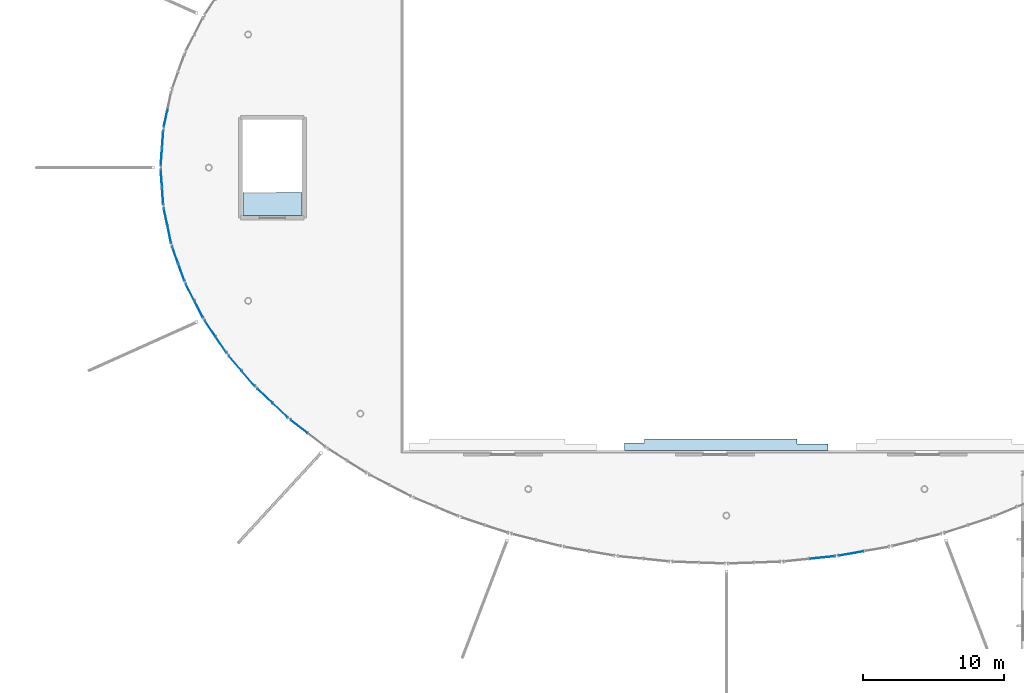
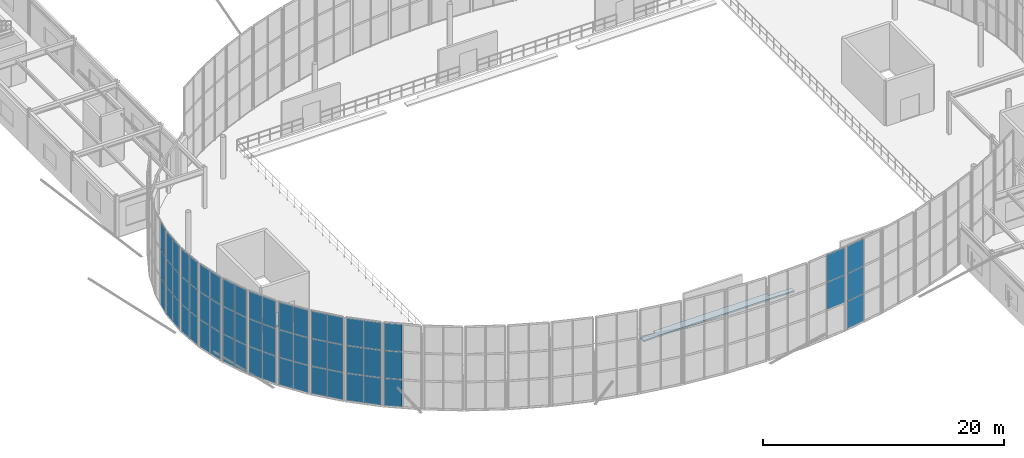
# One storey, part 46 of 109: 59 plates, 2 slabs, 12 elements without a shape of their own.
"""IFC4 building model written with IfcOpenShell, lengths in metres."""

from ifc_helpers import new_model, si_unit, derived_unit, direction, frame, origin, origin_2d, place, context, subcontext, project, spatial, polyline, rectangle, outline, extrude, material, layer, layer_set, type_object, element, aggregate, save


model = new_model("IFC4")

# Units and contexts
model_context = context("Model", 3, precision=1e-05, world=origin(), true_north=direction((0.0, 1.0)))
body_context = subcontext(model_context, "Body", "Model", "MODEL_VIEW")
ifc_project = project(units=[si_unit("LENGTHUNIT", "METRE"), si_unit("AREAUNIT", "SQUARE_METRE"), si_unit("VOLUMEUNIT", "CUBIC_METRE"), si_unit("PLANEANGLEUNIT", "RADIAN"), si_unit("MASSUNIT", "GRAM", prefix="KILO"), derived_unit("THERMALTRANSMITTANCEUNIT", [(si_unit("MASSUNIT", "GRAM", prefix="KILO"), 1), (si_unit("TIMEUNIT", "SECOND"), -3), (si_unit("THERMODYNAMICTEMPERATUREUNIT", "KELVIN"), -1)])], contexts=[model_context])

# Site, building, storey
site_placement = place(None, origin())
site = spatial("IfcSite", under=ifc_project, at=site_placement, CompositionType="ELEMENT")
building_placement = place(site_placement, origin())
building = spatial("IfcBuilding", under=site, at=building_placement, Name="Kharveza Railside Sports Centre", CompositionType="ELEMENT")
storey_placement = place(building_placement, frame((0.0, 0.0, 4.5)))
storey = spatial("IfcBuildingStorey", under=building, at=storey_placement, Name="L01", CompositionType="ELEMENT", Elevation=4.5)

# Curtain wall, plates
ifc_material_1 = material(Name="Low-E solar-control laminated glass", Category="glass")
curtain_wall_type = type_object("IfcCurtainWallType", Name="CW-DR01", PredefinedType="NOTDEFINED", material=ifc_material_1)
curtain_wall_1_placement = place(storey_placement, origin())
curtain_wall_1 = element("IfcCurtainWall", 1, at=curtain_wall_1_placement, inside=storey, type_object=curtain_wall_type, Name="CW-DRUM-31", PredefinedType="NOTDEFINED")
ifc_layer_1 = layer(ifc_material_1, 0.035888671875, Name="Low-E solar-control laminated glass")
ifc_layer_set_1 = layer_set([ifc_layer_1], Name="Low-E solar-control laminated glass")
plate_type = type_object("IfcPlateType", Name="PL-CP01", PredefinedType="CURTAIN_PANEL", material=ifc_layer_set_1)
plate_1_placement = place(storey_placement, frame((14.948974609375, 53.8828125, 0.02001953125), z_axis=(0.0, 0.0, 1.0), x_axis=(-0.207297061555, -0.978278042415, 0.0)))
plate_1 = element("IfcPlate", 2, at=plate_1_placement, type_object=plate_type, Name="CW-DRUM-31-PN21", PredefinedType="CURTAIN_PANEL", context=body_context, shape_type="SweptSolid", body=[
    extrude(rectangle(XDim=1.229248046875, YDim=0.035888671875, at=origin_2d()), origin(), (0.0, 0.0, 1.0), 2.760009765625),
])
plate_2_placement = place(storey_placement, frame((14.948974609375, 53.8828125, 2.81982421875), z_axis=(0.0, 0.0, 1.0), x_axis=(-0.207297061555, -0.978278042415, 0.0)))
plate_2 = element("IfcPlate", 3, at=plate_2_placement, type_object=plate_type, Name="CW-DRUM-31-PN22", PredefinedType="CURTAIN_PANEL", context=body_context, shape_type="SweptSolid", body=[
    extrude(rectangle(XDim=1.229248046875, YDim=0.035888671875, at=origin_2d()), origin(), (0.0, 0.0, 1.0), 2.760009765625),
])
plate_3_placement = place(storey_placement, frame((14.948974609375, 53.8828125, 5.6201171875), z_axis=(0.0, 0.0, 1.0), x_axis=(-0.207297061555, -0.978278042415, 0.0)))
plate_3 = element("IfcPlate", 4, at=plate_3_placement, type_object=plate_type, Name="CW-DRUM-31-PN23", PredefinedType="CURTAIN_PANEL", context=body_context, shape_type="SweptSolid", body=[
    extrude(rectangle(XDim=1.229248046875, YDim=0.035888671875, at=origin_2d()), origin(), (0.0, 0.0, 1.0), 2.760009765625),
])
aggregate(curtain_wall_1, [plate_1, plate_2, plate_3])

curtain_wall_2_placement = place(storey_placement, origin())
curtain_wall_2 = element("IfcCurtainWall", 5, at=curtain_wall_2_placement, inside=storey, type_object=curtain_wall_type, Name="CW-DRUM-32", PredefinedType="NOTDEFINED")
plate_4_placement = place(storey_placement, frame((14.740234375, 52.3984375, 0.02001953125), z_axis=(0.0, 0.0, 1.0), x_axis=(-0.070017633008, -0.997545753872, 0.0)))
plate_4 = element("IfcPlate", 6, at=plate_4_placement, type_object=plate_type, Name="CW-DRUM-32-PN11", PredefinedType="CURTAIN_PANEL", context=body_context, shape_type="SweptSolid", body=[
    extrude(rectangle(XDim=1.215576171875, YDim=0.035888671875, at=origin_2d()), origin(), (0.0, 0.0, 1.0), 2.760009765625),
])
plate_5_placement = place(storey_placement, frame((14.740234375, 52.3984375, 2.81982421875), z_axis=(0.0, 0.0, 1.0), x_axis=(-0.070017633008, -0.997545753872, 0.0)))
plate_5 = element("IfcPlate", 7, at=plate_5_placement, type_object=plate_type, Name="CW-DRUM-32-PN12", PredefinedType="CURTAIN_PANEL", context=body_context, shape_type="SweptSolid", body=[
    extrude(rectangle(XDim=1.215576171875, YDim=0.035888671875, at=origin_2d()), origin(), (0.0, 0.0, 1.0), 2.760009765625),
])
plate_6_placement = place(storey_placement, frame((14.740234375, 52.3984375, 5.6201171875), z_axis=(0.0, 0.0, 1.0), x_axis=(-0.070017633008, -0.997545753872, 0.0)))
plate_6 = element("IfcPlate", 8, at=plate_6_placement, type_object=plate_type, Name="CW-DRUM-32-PN13", PredefinedType="CURTAIN_PANEL", context=body_context, shape_type="SweptSolid", body=[
    extrude(rectangle(XDim=1.215576171875, YDim=0.035888671875, at=origin_2d()), origin(), (0.0, 0.0, 1.0), 2.760009765625),
])
plate_7_placement = place(storey_placement, frame((14.65234375, 51.14599609375, 0.02001953125), z_axis=(0.0, 0.0, 1.0), x_axis=(-0.070017633008, -0.997545753872, 0.0)))
plate_7 = element("IfcPlate", 9, at=plate_7_placement, type_object=plate_type, Name="CW-DRUM-32-PN21", PredefinedType="CURTAIN_PANEL", context=body_context, shape_type="SweptSolid", body=[
    extrude(rectangle(XDim=1.215576171875, YDim=0.035888671875, at=origin_2d()), origin(), (0.0, 0.0, 1.0), 2.760009765625),
])
plate_8_placement = place(storey_placement, frame((14.65234375, 51.14599609375, 2.81982421875), z_axis=(0.0, 0.0, 1.0), x_axis=(-0.070017633008, -0.997545753872, 0.0)))
plate_8 = element("IfcPlate", 10, at=plate_8_placement, type_object=plate_type, Name="CW-DRUM-32-PN22", PredefinedType="CURTAIN_PANEL", context=body_context, shape_type="SweptSolid", body=[
    extrude(rectangle(XDim=1.215576171875, YDim=0.035888671875, at=origin_2d()), origin(), (0.0, 0.0, 1.0), 2.760009765625),
])
plate_9_placement = place(storey_placement, frame((14.65234375, 51.14599609375, 5.6201171875), z_axis=(0.0, 0.0, 1.0), x_axis=(-0.070017633008, -0.997545753872, 0.0)))
plate_9 = element("IfcPlate", 11, at=plate_9_placement, type_object=plate_type, Name="CW-DRUM-32-PN23", PredefinedType="CURTAIN_PANEL", context=body_context, shape_type="SweptSolid", body=[
    extrude(rectangle(XDim=1.215576171875, YDim=0.035888671875, at=origin_2d()), origin(), (0.0, 0.0, 1.0), 2.760009765625),
])
aggregate(curtain_wall_2, [plate_4, plate_5, plate_6, plate_7, plate_8, plate_9])

curtain_wall_3_placement = place(storey_placement, origin())
curtain_wall_3 = element("IfcCurtainWall", 12, at=curtain_wall_3_placement, inside=storey, type_object=curtain_wall_type, Name="CW-DRUM-33", PredefinedType="NOTDEFINED")
plate_10_placement = place(storey_placement, frame((14.65234375, 49.654052734375, 0.02001953125), z_axis=(0.0, 0.0, 1.0), x_axis=(0.070017633008, -0.997545753872, 0.0)))
plate_10 = element("IfcPlate", 13, at=plate_10_placement, type_object=plate_type, Name="CW-DRUM-33-PN11", PredefinedType="CURTAIN_PANEL", context=body_context, shape_type="SweptSolid", body=[
    extrude(rectangle(XDim=1.215576171875, YDim=0.035888671875, at=origin_2d()), origin(), (0.0, 0.0, 1.0), 2.760009765625),
])
plate_11_placement = place(storey_placement, frame((14.65234375, 49.654052734375, 2.81982421875), z_axis=(0.0, 0.0, 1.0), x_axis=(0.070017633008, -0.997545753872, 0.0)))
plate_11 = element("IfcPlate", 14, at=plate_11_placement, type_object=plate_type, Name="CW-DRUM-33-PN12", PredefinedType="CURTAIN_PANEL", context=body_context, shape_type="SweptSolid", body=[
    extrude(rectangle(XDim=1.215576171875, YDim=0.035888671875, at=origin_2d()), origin(), (0.0, 0.0, 1.0), 2.760009765625),
])
plate_12_placement = place(storey_placement, frame((14.65234375, 49.654052734375, 5.6201171875), z_axis=(0.0, 0.0, 1.0), x_axis=(0.070017633008, -0.997545753872, 0.0)))
plate_12 = element("IfcPlate", 15, at=plate_12_placement, type_object=plate_type, Name="CW-DRUM-33-PN13", PredefinedType="CURTAIN_PANEL", context=body_context, shape_type="SweptSolid", body=[
    extrude(rectangle(XDim=1.215576171875, YDim=0.035888671875, at=origin_2d()), origin(), (0.0, 0.0, 1.0), 2.760009765625),
])
plate_13_placement = place(storey_placement, frame((14.740234375, 48.401611328125, 0.02001953125), z_axis=(0.0, 0.0, 1.0), x_axis=(0.070017633008, -0.997545753872, 0.0)))
plate_13 = element("IfcPlate", 16, at=plate_13_placement, type_object=plate_type, Name="CW-DRUM-33-PN21", PredefinedType="CURTAIN_PANEL", context=body_context, shape_type="SweptSolid", body=[
    extrude(rectangle(XDim=1.215576171875, YDim=0.035888671875, at=origin_2d()), origin(), (0.0, 0.0, 1.0), 2.760009765625),
])
plate_14_placement = place(storey_placement, frame((14.740234375, 48.401611328125, 2.81982421875), z_axis=(0.0, 0.0, 1.0), x_axis=(0.070017633008, -0.997545753872, 0.0)))
plate_14 = element("IfcPlate", 17, at=plate_14_placement, type_object=plate_type, Name="CW-DRUM-33-PN22", PredefinedType="CURTAIN_PANEL", context=body_context, shape_type="SweptSolid", body=[
    extrude(rectangle(XDim=1.215576171875, YDim=0.035888671875, at=origin_2d()), origin(), (0.0, 0.0, 1.0), 2.760009765625),
])
plate_15_placement = place(storey_placement, frame((14.740234375, 48.401611328125, 5.6201171875), z_axis=(0.0, 0.0, 1.0), x_axis=(0.070017633008, -0.997545753872, 0.0)))
plate_15 = element("IfcPlate", 18, at=plate_15_placement, type_object=plate_type, Name="CW-DRUM-33-PN23", PredefinedType="CURTAIN_PANEL", context=body_context, shape_type="SweptSolid", body=[
    extrude(rectangle(XDim=1.215576171875, YDim=0.035888671875, at=origin_2d()), origin(), (0.0, 0.0, 1.0), 2.760009765625),
])
aggregate(curtain_wall_3, [plate_10, plate_11, plate_12, plate_13, plate_14, plate_15])

curtain_wall_4_placement = place(storey_placement, origin())
curtain_wall_4 = element("IfcCurtainWall", 19, at=curtain_wall_4_placement, inside=storey, type_object=curtain_wall_type, Name="CW-DRUM-34", PredefinedType="NOTDEFINED")
plate_16_placement = place(storey_placement, frame((14.948974609375, 46.917236328125, 0.02001953125), z_axis=(0.0, 0.0, 1.0), x_axis=(0.207297061555, -0.978278042415, 0.0)))
plate_16 = element("IfcPlate", 20, at=plate_16_placement, type_object=plate_type, Name="CW-DRUM-34-PN11", PredefinedType="CURTAIN_PANEL", context=body_context, shape_type="SweptSolid", body=[
    extrude(rectangle(XDim=1.229248046875, YDim=0.035888671875, at=origin_2d()), origin(), (0.0, 0.0, 1.0), 2.760009765625),
])
plate_17_placement = place(storey_placement, frame((14.948974609375, 46.917236328125, 2.81982421875), z_axis=(0.0, 0.0, 1.0), x_axis=(0.207297061555, -0.978278042415, 0.0)))
plate_17 = element("IfcPlate", 21, at=plate_17_placement, type_object=plate_type, Name="CW-DRUM-34-PN12", PredefinedType="CURTAIN_PANEL", context=body_context, shape_type="SweptSolid", body=[
    extrude(rectangle(XDim=1.229248046875, YDim=0.035888671875, at=origin_2d()), origin(), (0.0, 0.0, 1.0), 2.760009765625),
])
plate_18_placement = place(storey_placement, frame((14.948974609375, 46.917236328125, 5.6201171875), z_axis=(0.0, 0.0, 1.0), x_axis=(0.207297061555, -0.978278042415, 0.0)))
plate_18 = element("IfcPlate", 22, at=plate_18_placement, type_object=plate_type, Name="CW-DRUM-34-PN13", PredefinedType="CURTAIN_PANEL", context=body_context, shape_type="SweptSolid", body=[
    extrude(rectangle(XDim=1.229248046875, YDim=0.035888671875, at=origin_2d()), origin(), (0.0, 0.0, 1.0), 2.760009765625),
])
plate_19_placement = place(storey_placement, frame((15.212158203125, 45.67578125, 0.02001953125), z_axis=(0.0, 0.0, 1.0), x_axis=(0.207297061555, -0.978278042415, 0.0)))
plate_19 = element("IfcPlate", 23, at=plate_19_placement, type_object=plate_type, Name="CW-DRUM-34-PN21", PredefinedType="CURTAIN_PANEL", context=body_context, shape_type="SweptSolid", body=[
    extrude(rectangle(XDim=1.229248046875, YDim=0.035888671875, at=origin_2d()), origin(), (0.0, 0.0, 1.0), 2.760009765625),
])
plate_20_placement = place(storey_placement, frame((15.212158203125, 45.67578125, 2.81982421875), z_axis=(0.0, 0.0, 1.0), x_axis=(0.207297061555, -0.978278042415, 0.0)))
plate_20 = element("IfcPlate", 24, at=plate_20_placement, type_object=plate_type, Name="CW-DRUM-34-PN22", PredefinedType="CURTAIN_PANEL", context=body_context, shape_type="SweptSolid", body=[
    extrude(rectangle(XDim=1.229248046875, YDim=0.035888671875, at=origin_2d()), origin(), (0.0, 0.0, 1.0), 2.760009765625),
])
plate_21_placement = place(storey_placement, frame((15.212158203125, 45.67578125, 5.6201171875), z_axis=(0.0, 0.0, 1.0), x_axis=(0.207297061555, -0.978278042415, 0.0)))
plate_21 = element("IfcPlate", 25, at=plate_21_placement, type_object=plate_type, Name="CW-DRUM-34-PN23", PredefinedType="CURTAIN_PANEL", context=body_context, shape_type="SweptSolid", body=[
    extrude(rectangle(XDim=1.229248046875, YDim=0.035888671875, at=origin_2d()), origin(), (0.0, 0.0, 1.0), 2.760009765625),
])
aggregate(curtain_wall_4, [plate_16, plate_17, plate_18, plate_19, plate_20, plate_21])

curtain_wall_5_placement = place(storey_placement, origin())
curtain_wall_5 = element("IfcCurtainWall", 26, at=curtain_wall_5_placement, inside=storey, type_object=curtain_wall_type, Name="CW-DRUM-35", PredefinedType="NOTDEFINED")
plate_22_placement = place(storey_placement, frame((15.627197265625, 44.214599609375, 0.02001953125), z_axis=(0.0, 0.0, 1.0), x_axis=(0.336914502843, -0.941535245105, 0.0)))
plate_22 = element("IfcPlate", 27, at=plate_22_placement, type_object=plate_type, Name="CW-DRUM-35-PN11", PredefinedType="CURTAIN_PANEL", context=body_context, shape_type="SweptSolid", body=[
    extrude(rectangle(XDim=1.255615234375, YDim=0.035888671875, at=origin_2d()), origin(), (0.0, 0.0, 1.0), 2.760009765625),
])
plate_23_placement = place(storey_placement, frame((15.627197265625, 44.214599609375, 2.81982421875), z_axis=(0.0, 0.0, 1.0), x_axis=(0.336914502843, -0.941535245105, 0.0)))
plate_23 = element("IfcPlate", 28, at=plate_23_placement, type_object=plate_type, Name="CW-DRUM-35-PN12", PredefinedType="CURTAIN_PANEL", context=body_context, shape_type="SweptSolid", body=[
    extrude(rectangle(XDim=1.255615234375, YDim=0.035888671875, at=origin_2d()), origin(), (0.0, 0.0, 1.0), 2.760009765625),
])
plate_24_placement = place(storey_placement, frame((15.627197265625, 44.214599609375, 5.6201171875), z_axis=(0.0, 0.0, 1.0), x_axis=(0.336914502843, -0.941535245105, 0.0)))
plate_24 = element("IfcPlate", 29, at=plate_24_placement, type_object=plate_type, Name="CW-DRUM-35-PN13", PredefinedType="CURTAIN_PANEL", context=body_context, shape_type="SweptSolid", body=[
    extrude(rectangle(XDim=1.255615234375, YDim=0.035888671875, at=origin_2d()), origin(), (0.0, 0.0, 1.0), 2.760009765625),
])
plate_25_placement = place(storey_placement, frame((16.063720703125, 42.994873046875, 0.02001953125), z_axis=(0.0, 0.0, 1.0), x_axis=(0.336914502843, -0.941535245105, 0.0)))
plate_25 = element("IfcPlate", 30, at=plate_25_placement, type_object=plate_type, Name="CW-DRUM-35-PN21", PredefinedType="CURTAIN_PANEL", context=body_context, shape_type="SweptSolid", body=[
    extrude(rectangle(XDim=1.255615234375, YDim=0.035888671875, at=origin_2d()), origin(), (0.0, 0.0, 1.0), 2.760009765625),
])
plate_26_placement = place(storey_placement, frame((16.063720703125, 42.994873046875, 2.81982421875), z_axis=(0.0, 0.0, 1.0), x_axis=(0.336914502843, -0.941535245105, 0.0)))
plate_26 = element("IfcPlate", 31, at=plate_26_placement, type_object=plate_type, Name="CW-DRUM-35-PN22", PredefinedType="CURTAIN_PANEL", context=body_context, shape_type="SweptSolid", body=[
    extrude(rectangle(XDim=1.255615234375, YDim=0.035888671875, at=origin_2d()), origin(), (0.0, 0.0, 1.0), 2.760009765625),
])
plate_27_placement = place(storey_placement, frame((16.063720703125, 42.994873046875, 5.6201171875), z_axis=(0.0, 0.0, 1.0), x_axis=(0.336914502843, -0.941535245105, 0.0)))
plate_27 = element("IfcPlate", 32, at=plate_27_placement, type_object=plate_type, Name="CW-DRUM-35-PN23", PredefinedType="CURTAIN_PANEL", context=body_context, shape_type="SweptSolid", body=[
    extrude(rectangle(XDim=1.255615234375, YDim=0.035888671875, at=origin_2d()), origin(), (0.0, 0.0, 1.0), 2.760009765625),
])
aggregate(curtain_wall_5, [plate_22, plate_23, plate_24, plate_25, plate_26, plate_27])

curtain_wall_6_placement = place(storey_placement, origin())
curtain_wall_6 = element("IfcCurtainWall", 33, at=curtain_wall_6_placement, inside=storey, type_object=curtain_wall_type, Name="CW-DRUM-36", PredefinedType="NOTDEFINED")
plate_28_placement = place(storey_placement, frame((16.680419921875, 41.57177734375, 0.02001953125), z_axis=(0.0, 0.0, 1.0), x_axis=(0.455140894588, -0.890419432669, 0.0)))
plate_28 = element("IfcPlate", 34, at=plate_28_placement, type_object=plate_type, Name="CW-DRUM-36-PN11", PredefinedType="CURTAIN_PANEL", context=body_context, shape_type="SweptSolid", body=[
    extrude(rectangle(XDim=1.292724609375, YDim=0.035888671875, at=origin_2d()), origin(), (0.0, 0.0, 1.0), 2.760009765625),
])
plate_29_placement = place(storey_placement, frame((16.680419921875, 41.57177734375, 2.81982421875), z_axis=(0.0, 0.0, 1.0), x_axis=(0.455140894588, -0.890419432669, 0.0)))
plate_29 = element("IfcPlate", 35, at=plate_29_placement, type_object=plate_type, Name="CW-DRUM-36-PN12", PredefinedType="CURTAIN_PANEL", context=body_context, shape_type="SweptSolid", body=[
    extrude(rectangle(XDim=1.292724609375, YDim=0.035888671875, at=origin_2d()), origin(), (0.0, 0.0, 1.0), 2.760009765625),
])
plate_30_placement = place(storey_placement, frame((16.680419921875, 41.57177734375, 5.6201171875), z_axis=(0.0, 0.0, 1.0), x_axis=(0.455140894588, -0.890419432669, 0.0)))
plate_30 = element("IfcPlate", 36, at=plate_30_placement, type_object=plate_type, Name="CW-DRUM-36-PN13", PredefinedType="CURTAIN_PANEL", context=body_context, shape_type="SweptSolid", body=[
    extrude(rectangle(XDim=1.292724609375, YDim=0.035888671875, at=origin_2d()), origin(), (0.0, 0.0, 1.0), 2.760009765625),
])
plate_31_placement = place(storey_placement, frame((17.286865234375, 40.385009765625, 0.02001953125), z_axis=(0.0, 0.0, 1.0), x_axis=(0.455140894588, -0.890419432669, 0.0)))
plate_31 = element("IfcPlate", 37, at=plate_31_placement, type_object=plate_type, Name="CW-DRUM-36-PN21", PredefinedType="CURTAIN_PANEL", context=body_context, shape_type="SweptSolid", body=[
    extrude(rectangle(XDim=1.292724609375, YDim=0.035888671875, at=origin_2d()), origin(), (0.0, 0.0, 1.0), 2.760009765625),
])
plate_32_placement = place(storey_placement, frame((17.286865234375, 40.385009765625, 2.81982421875), z_axis=(0.0, 0.0, 1.0), x_axis=(0.455140894588, -0.890419432669, 0.0)))
plate_32 = element("IfcPlate", 38, at=plate_32_placement, type_object=plate_type, Name="CW-DRUM-36-PN22", PredefinedType="CURTAIN_PANEL", context=body_context, shape_type="SweptSolid", body=[
    extrude(rectangle(XDim=1.292724609375, YDim=0.035888671875, at=origin_2d()), origin(), (0.0, 0.0, 1.0), 2.760009765625),
])
plate_33_placement = place(storey_placement, frame((17.286865234375, 40.385009765625, 5.6201171875), z_axis=(0.0, 0.0, 1.0), x_axis=(0.455140894588, -0.890419432669, 0.0)))
plate_33 = element("IfcPlate", 39, at=plate_33_placement, type_object=plate_type, Name="CW-DRUM-36-PN23", PredefinedType="CURTAIN_PANEL", context=body_context, shape_type="SweptSolid", body=[
    extrude(rectangle(XDim=1.292724609375, YDim=0.035888671875, at=origin_2d()), origin(), (0.0, 0.0, 1.0), 2.760009765625),
])
aggregate(curtain_wall_6, [plate_28, plate_29, plate_30, plate_31, plate_32, plate_33])

curtain_wall_7_placement = place(storey_placement, origin())
curtain_wall_7 = element("IfcCurtainWall", 40, at=curtain_wall_7_placement, inside=storey, type_object=curtain_wall_type, Name="CW-DRUM-37", PredefinedType="NOTDEFINED")
plate_34_placement = place(storey_placement, frame((18.097900390625, 39.01416015625, 0.02001953125), z_axis=(0.0, 0.0, 1.0), x_axis=(0.559843855522, -0.828598127825, 0.0)))
plate_34 = element("IfcPlate", 41, at=plate_34_placement, type_object=plate_type, Name="CW-DRUM-37-PN11", PredefinedType="CURTAIN_PANEL", context=body_context, shape_type="SweptSolid", body=[
    extrude(rectangle(XDim=1.3388671875, YDim=0.035888671875, at=origin_2d()), origin(), (0.0, 0.0, 1.0), 2.760009765625),
])
plate_35_placement = place(storey_placement, frame((18.097900390625, 39.01416015625, 2.81982421875), z_axis=(0.0, 0.0, 1.0), x_axis=(0.559843855522, -0.828598127825, 0.0)))
plate_35 = element("IfcPlate", 42, at=plate_35_placement, type_object=plate_type, Name="CW-DRUM-37-PN12", PredefinedType="CURTAIN_PANEL", context=body_context, shape_type="SweptSolid", body=[
    extrude(rectangle(XDim=1.3388671875, YDim=0.035888671875, at=origin_2d()), origin(), (0.0, 0.0, 1.0), 2.760009765625),
])
plate_36_placement = place(storey_placement, frame((18.097900390625, 39.01416015625, 5.6201171875), z_axis=(0.0, 0.0, 1.0), x_axis=(0.559843855522, -0.828598127825, 0.0)))
plate_36 = element("IfcPlate", 43, at=plate_36_placement, type_object=plate_type, Name="CW-DRUM-37-PN13", PredefinedType="CURTAIN_PANEL", context=body_context, shape_type="SweptSolid", body=[
    extrude(rectangle(XDim=1.3388671875, YDim=0.035888671875, at=origin_2d()), origin(), (0.0, 0.0, 1.0), 2.760009765625),
])
plate_37_placement = place(storey_placement, frame((18.8701171875, 37.87158203125, 0.02001953125), z_axis=(0.0, 0.0, 1.0), x_axis=(0.559843855522, -0.828598127825, 0.0)))
plate_37 = element("IfcPlate", 44, at=plate_37_placement, type_object=plate_type, Name="CW-DRUM-37-PN21", PredefinedType="CURTAIN_PANEL", context=body_context, shape_type="SweptSolid", body=[
    extrude(rectangle(XDim=1.3388671875, YDim=0.035888671875, at=origin_2d()), origin(), (0.0, 0.0, 1.0), 2.760009765625),
])
plate_38_placement = place(storey_placement, frame((18.8701171875, 37.87158203125, 2.81982421875), z_axis=(0.0, 0.0, 1.0), x_axis=(0.559843855522, -0.828598127825, 0.0)))
plate_38 = element("IfcPlate", 45, at=plate_38_placement, type_object=plate_type, Name="CW-DRUM-37-PN22", PredefinedType="CURTAIN_PANEL", context=body_context, shape_type="SweptSolid", body=[
    extrude(rectangle(XDim=1.3388671875, YDim=0.035888671875, at=origin_2d()), origin(), (0.0, 0.0, 1.0), 2.760009765625),
])
plate_39_placement = place(storey_placement, frame((18.8701171875, 37.87158203125, 5.6201171875), z_axis=(0.0, 0.0, 1.0), x_axis=(0.559843855522, -0.828598127825, 0.0)))
plate_39 = element("IfcPlate", 46, at=plate_39_placement, type_object=plate_type, Name="CW-DRUM-37-PN23", PredefinedType="CURTAIN_PANEL", context=body_context, shape_type="SweptSolid", body=[
    extrude(rectangle(XDim=1.3388671875, YDim=0.035888671875, at=origin_2d()), origin(), (0.0, 0.0, 1.0), 2.760009765625),
])
aggregate(curtain_wall_7, [plate_34, plate_35, plate_36, plate_37, plate_38, plate_39])

curtain_wall_8_placement = place(storey_placement, origin())
curtain_wall_8 = element("IfcCurtainWall", 47, at=curtain_wall_8_placement, inside=storey, type_object=curtain_wall_type, Name="CW-DRUM-38", PredefinedType="NOTDEFINED")
plate_40_placement = place(storey_placement, frame((19.86669921875, 36.566162109375, 0.02001953125), z_axis=(0.0, 0.0, 1.0), x_axis=(0.650403089613, -0.759589244935, 0.0)))
plate_40 = element("IfcPlate", 48, at=plate_40_placement, type_object=plate_type, Name="CW-DRUM-38-PN11", PredefinedType="CURTAIN_PANEL", context=body_context, shape_type="SweptSolid", body=[
    extrude(rectangle(XDim=1.391357421875, YDim=0.035888671875, at=origin_2d()), origin(), (0.0, 0.0, 1.0), 2.760009765625),
])
plate_41_placement = place(storey_placement, frame((19.86669921875, 36.566162109375, 2.81982421875), z_axis=(0.0, 0.0, 1.0), x_axis=(0.650403089613, -0.759589244935, 0.0)))
plate_41 = element("IfcPlate", 49, at=plate_41_placement, type_object=plate_type, Name="CW-DRUM-38-PN12", PredefinedType="CURTAIN_PANEL", context=body_context, shape_type="SweptSolid", body=[
    extrude(rectangle(XDim=1.391357421875, YDim=0.035888671875, at=origin_2d()), origin(), (0.0, 0.0, 1.0), 2.760009765625),
])
plate_42_placement = place(storey_placement, frame((19.86669921875, 36.566162109375, 5.6201171875), z_axis=(0.0, 0.0, 1.0), x_axis=(0.650403089613, -0.759589244935, 0.0)))
plate_42 = element("IfcPlate", 50, at=plate_42_placement, type_object=plate_type, Name="CW-DRUM-38-PN13", PredefinedType="CURTAIN_PANEL", context=body_context, shape_type="SweptSolid", body=[
    extrude(rectangle(XDim=1.391357421875, YDim=0.035888671875, at=origin_2d()), origin(), (0.0, 0.0, 1.0), 2.760009765625),
])
plate_43_placement = place(storey_placement, frame((20.797607421875, 35.478759765625, 0.02001953125), z_axis=(0.0, 0.0, 1.0), x_axis=(0.650403089613, -0.759589244935, 0.0)))
plate_43 = element("IfcPlate", 51, at=plate_43_placement, type_object=plate_type, Name="CW-DRUM-38-PN21", PredefinedType="CURTAIN_PANEL", context=body_context, shape_type="SweptSolid", body=[
    extrude(rectangle(XDim=1.391357421875, YDim=0.035888671875, at=origin_2d()), origin(), (0.0, 0.0, 1.0), 2.760009765625),
])
plate_44_placement = place(storey_placement, frame((20.797607421875, 35.478759765625, 2.81982421875), z_axis=(0.0, 0.0, 1.0), x_axis=(0.650403089613, -0.759589244935, 0.0)))
plate_44 = element("IfcPlate", 52, at=plate_44_placement, type_object=plate_type, Name="CW-DRUM-38-PN22", PredefinedType="CURTAIN_PANEL", context=body_context, shape_type="SweptSolid", body=[
    extrude(rectangle(XDim=1.391357421875, YDim=0.035888671875, at=origin_2d()), origin(), (0.0, 0.0, 1.0), 2.760009765625),
])
plate_45_placement = place(storey_placement, frame((20.797607421875, 35.478759765625, 5.6201171875), z_axis=(0.0, 0.0, 1.0), x_axis=(0.650403089613, -0.759589244935, 0.0)))
plate_45 = element("IfcPlate", 53, at=plate_45_placement, type_object=plate_type, Name="CW-DRUM-38-PN23", PredefinedType="CURTAIN_PANEL", context=body_context, shape_type="SweptSolid", body=[
    extrude(rectangle(XDim=1.391357421875, YDim=0.035888671875, at=origin_2d()), origin(), (0.0, 0.0, 1.0), 2.760009765625),
])
aggregate(curtain_wall_8, [plate_40, plate_41, plate_42, plate_43, plate_44, plate_45])

curtain_wall_9_placement = place(storey_placement, origin())
curtain_wall_9 = element("IfcCurtainWall", 54, at=curtain_wall_9_placement, inside=storey, type_object=curtain_wall_type, Name="CW-DRUM-39", PredefinedType="NOTDEFINED")
plate_46_placement = place(storey_placement, frame((21.969482421875, 34.251220703125, 0.02001953125), z_axis=(0.0, 0.0, 1.0), x_axis=(0.727233892774, -0.686389732732, 0.0)))
plate_46 = element("IfcPlate", 55, at=plate_46_placement, type_object=plate_type, Name="CW-DRUM-39-PN11", PredefinedType="CURTAIN_PANEL", context=body_context, shape_type="SweptSolid", body=[
    extrude(rectangle(XDim=1.44775390625, YDim=0.035888671875, at=origin_2d()), origin(), (0.0, 0.0, 1.0), 2.760009765625),
])
plate_47_placement = place(storey_placement, frame((21.969482421875, 34.251220703125, 2.81982421875), z_axis=(0.0, 0.0, 1.0), x_axis=(0.727233892774, -0.686389732732, 0.0)))
plate_47 = element("IfcPlate", 56, at=plate_47_placement, type_object=plate_type, Name="CW-DRUM-39-PN12", PredefinedType="CURTAIN_PANEL", context=body_context, shape_type="SweptSolid", body=[
    extrude(rectangle(XDim=1.44775390625, YDim=0.035888671875, at=origin_2d()), origin(), (0.0, 0.0, 1.0), 2.760009765625),
])
plate_48_placement = place(storey_placement, frame((21.969482421875, 34.251220703125, 5.6201171875), z_axis=(0.0, 0.0, 1.0), x_axis=(0.727233892774, -0.686389732732, 0.0)))
plate_48 = element("IfcPlate", 57, at=plate_48_placement, type_object=plate_type, Name="CW-DRUM-39-PN13", PredefinedType="CURTAIN_PANEL", context=body_context, shape_type="SweptSolid", body=[
    extrude(rectangle(XDim=1.44775390625, YDim=0.035888671875, at=origin_2d()), origin(), (0.0, 0.0, 1.0), 2.760009765625),
])
plate_49_placement = place(storey_placement, frame((23.051513671875, 33.22998046875, 0.02001953125), z_axis=(0.0, 0.0, 1.0), x_axis=(0.727233892774, -0.686389732732, 0.0)))
plate_49 = element("IfcPlate", 58, at=plate_49_placement, type_object=plate_type, Name="CW-DRUM-39-PN21", PredefinedType="CURTAIN_PANEL", context=body_context, shape_type="SweptSolid", body=[
    extrude(rectangle(XDim=1.44775390625, YDim=0.035888671875, at=origin_2d()), origin(), (0.0, 0.0, 1.0), 2.760009765625),
])
plate_50_placement = place(storey_placement, frame((23.051513671875, 33.22998046875, 2.81982421875), z_axis=(0.0, 0.0, 1.0), x_axis=(0.727233892774, -0.686389732732, 0.0)))
plate_50 = element("IfcPlate", 59, at=plate_50_placement, type_object=plate_type, Name="CW-DRUM-39-PN22", PredefinedType="CURTAIN_PANEL", context=body_context, shape_type="SweptSolid", body=[
    extrude(rectangle(XDim=1.44775390625, YDim=0.035888671875, at=origin_2d()), origin(), (0.0, 0.0, 1.0), 2.760009765625),
])
plate_51_placement = place(storey_placement, frame((23.051513671875, 33.22998046875, 5.6201171875), z_axis=(0.0, 0.0, 1.0), x_axis=(0.727233892774, -0.686389732732, 0.0)))
plate_51 = element("IfcPlate", 60, at=plate_51_placement, type_object=plate_type, Name="CW-DRUM-39-PN23", PredefinedType="CURTAIN_PANEL", context=body_context, shape_type="SweptSolid", body=[
    extrude(rectangle(XDim=1.44775390625, YDim=0.035888671875, at=origin_2d()), origin(), (0.0, 0.0, 1.0), 2.760009765625),
])
aggregate(curtain_wall_9, [plate_46, plate_47, plate_48, plate_49, plate_50, plate_51])

curtain_wall_10_placement = place(storey_placement, origin())
curtain_wall_10 = element("IfcCurtainWall", 61, at=curtain_wall_10_placement, inside=storey, type_object=curtain_wall_type, Name="CW-DRUM-40", PredefinedType="NOTDEFINED")
plate_52_placement = place(storey_placement, frame((24.385986328125, 32.09130859375, 0.02001953125), z_axis=(0.0, 0.0, 1.0), x_axis=(0.791436947965, -0.61125081382, 0.0)))
plate_52 = element("IfcPlate", 62, at=plate_52_placement, type_object=plate_type, Name="CW-DRUM-40-PN11", PredefinedType="CURTAIN_PANEL", context=body_context, shape_type="SweptSolid", body=[
    extrude(rectangle(XDim=1.50537109375, YDim=0.035888671875, at=origin_2d()), origin(), (0.0, 0.0, 1.0), 2.760009765625),
])
plate_53_placement = place(storey_placement, frame((24.385986328125, 32.09130859375, 2.81982421875), z_axis=(0.0, 0.0, 1.0), x_axis=(0.791436947965, -0.61125081382, 0.0)))
plate_53 = element("IfcPlate", 63, at=plate_53_placement, type_object=plate_type, Name="CW-DRUM-40-PN12", PredefinedType="CURTAIN_PANEL", context=body_context, shape_type="SweptSolid", body=[
    extrude(rectangle(XDim=1.50537109375, YDim=0.035888671875, at=origin_2d()), origin(), (0.0, 0.0, 1.0), 2.760009765625),
])
plate_54_placement = place(storey_placement, frame((24.385986328125, 32.09130859375, 5.6201171875), z_axis=(0.0, 0.0, 1.0), x_axis=(0.791436947965, -0.61125081382, 0.0)))
plate_54 = element("IfcPlate", 64, at=plate_54_placement, type_object=plate_type, Name="CW-DRUM-40-PN13", PredefinedType="CURTAIN_PANEL", context=body_context, shape_type="SweptSolid", body=[
    extrude(rectangle(XDim=1.50537109375, YDim=0.035888671875, at=origin_2d()), origin(), (0.0, 0.0, 1.0), 2.760009765625),
])
aggregate(curtain_wall_10, [plate_52, plate_53, plate_54])

curtain_wall_11_placement = place(storey_placement, origin())
curtain_wall_11 = element("IfcCurtainWall", 65, at=curtain_wall_11_placement, inside=storey, type_object=curtain_wall_type, Name="CW-DRUM-50", PredefinedType="NOTDEFINED")
plate_55_placement = place(storey_placement, frame((61.373291015625, 22.8310546875, 2.81982421875), z_axis=(0.0, 0.0, 1.0), x_axis=(0.994652464432, 0.103278627992, 0.0)))
plate_55 = element("IfcPlate", 66, at=plate_55_placement, type_object=plate_type, Name="CW-DRUM-50-PN22", PredefinedType="CURTAIN_PANEL", context=body_context, shape_type="SweptSolid", body=[
    extrude(rectangle(XDim=1.7919921875, YDim=0.035888671875, at=origin_2d()), origin(), (0.0, 0.0, 1.0), 2.760009765625),
])
plate_56_placement = place(storey_placement, frame((61.373291015625, 22.8310546875, 5.6201171875), z_axis=(0.0, 0.0, 1.0), x_axis=(0.994652464432, 0.103278627992, 0.0)))
plate_56 = element("IfcPlate", 67, at=plate_56_placement, type_object=plate_type, Name="CW-DRUM-50-PN23", PredefinedType="CURTAIN_PANEL", context=body_context, shape_type="SweptSolid", body=[
    extrude(rectangle(XDim=1.7919921875, YDim=0.035888671875, at=origin_2d()), origin(), (0.0, 0.0, 1.0), 2.760009765625),
])
aggregate(curtain_wall_11, [plate_55, plate_56])

curtain_wall_12_placement = place(storey_placement, origin())
curtain_wall_12 = element("IfcCurtainWall", 68, at=curtain_wall_12_placement, inside=storey, type_object=curtain_wall_type, Name="CW-DRUM-51", PredefinedType="NOTDEFINED")
plate_57_placement = place(storey_placement, frame((63.414794921875, 23.115234375, 0.02001953125), z_axis=(0.0, 0.0, 1.0), x_axis=(0.984973989537, 0.172702750228, 0.0)))
plate_57 = element("IfcPlate", 69, at=plate_57_placement, type_object=plate_type, Name="CW-DRUM-51-PN11", PredefinedType="CURTAIN_PANEL", context=body_context, shape_type="SweptSolid", body=[
    extrude(rectangle(XDim=1.77294921875, YDim=0.035888671875, at=origin_2d()), origin(), (0.0, 0.0, 1.0), 2.760009765625),
])
plate_58_placement = place(storey_placement, frame((63.414794921875, 23.115234375, 2.81982421875), z_axis=(0.0, 0.0, 1.0), x_axis=(0.984973989537, 0.172702750228, 0.0)))
plate_58 = element("IfcPlate", 70, at=plate_58_placement, type_object=plate_type, Name="CW-DRUM-51-PN12", PredefinedType="CURTAIN_PANEL", context=body_context, shape_type="SweptSolid", body=[
    extrude(rectangle(XDim=1.77294921875, YDim=0.035888671875, at=origin_2d()), origin(), (0.0, 0.0, 1.0), 2.760009765625),
])
plate_59_placement = place(storey_placement, frame((63.414794921875, 23.115234375, 5.6201171875), z_axis=(0.0, 0.0, 1.0), x_axis=(0.984973989537, 0.172702750228, 0.0)))
plate_59 = element("IfcPlate", 71, at=plate_59_placement, type_object=plate_type, Name="CW-DRUM-51-PN13", PredefinedType="CURTAIN_PANEL", context=body_context, shape_type="SweptSolid", body=[
    extrude(rectangle(XDim=1.77294921875, YDim=0.035888671875, at=origin_2d()), origin(), (0.0, 0.0, 1.0), 2.760009765625),
])
aggregate(curtain_wall_12, [plate_57, plate_58, plate_59])

# Slabs
ifc_material_2 = material(Name="Concrete C35/45", Category="concrete")
ifc_layer_2 = layer(ifc_material_2, 0.18505859375, Name="Concrete C35/45")
ifc_layer_set_2 = layer_set([ifc_layer_2], Name="Concrete C35/45")
slab_type_1 = type_object("IfcSlabType", Name="SL-LD185", PredefinedType="LANDING", material=ifc_layer_set_2)
slab_1_placement = place(storey_placement, frame((0.0, 0.0, -0.18505859375)))
element("IfcSlab", 72, at=slab_1_placement, inside=storey, type_object=slab_type_1, Name="SLB-STLND-FLR-ST7-L01", PredefinedType="LANDING", context=body_context, shape_type="SweptSolid", body=[
    extrude(outline(polyline([(20.405029296875, 47.0048828125), (24.594970703125, 47.0048828125), (24.594970703125, 48.659912109375), (20.405029296875, 48.659912109375), (20.405029296875, 47.0048828125)])), origin(), (0.0, 0.0, 1.0), 0.18505859375),
])
ifc_material_3 = material(Name="Precast concrete C40/50", Category="concrete")
ifc_layer_3 = layer(ifc_material_3, 0.14990234375, Name="Precast concrete C40/50")
ifc_layer_set_3 = layer_set([ifc_layer_3], Name="Precast concrete C40/50")
slab_type_2 = type_object("IfcSlabType", Name="SL-ST150", PredefinedType="USERDEFINED", material=ifc_layer_set_3)
slab_2_placement = place(storey_placement, frame((0.0, 0.0, -0.510009765625)))
element("IfcSlab", 73, at=slab_2_placement, inside=storey, type_object=slab_type_2, Name="Spectator Seating Tier S1-S2", ObjectType="SEATING_TIER", PredefinedType="USERDEFINED", context=body_context, shape_type="SweptSolid", body=[
    extrude(outline(polyline([(47.39990234375, 30.39990234375), (61.800048828125, 30.39990234375), (61.800048828125, 30.860107421875), (59.60009765625, 30.860107421875), (59.60009765625, 31.199951171875), (48.800048828125, 31.199951171875), (48.800048828125, 30.919921875), (47.39990234375, 30.919921875), (47.39990234375, 30.39990234375)])), origin(), (0.0, 0.0, 1.0), 0.14990234375),
])

save(model, "model.ifc")
